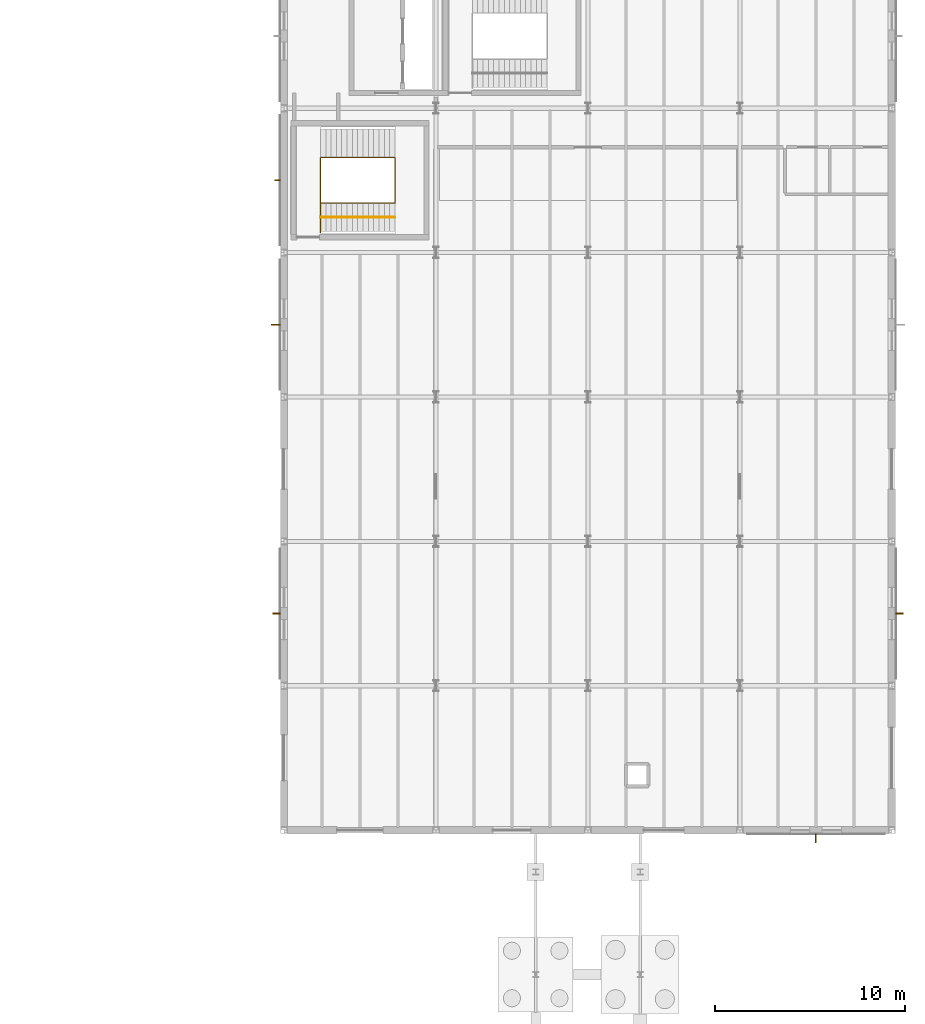
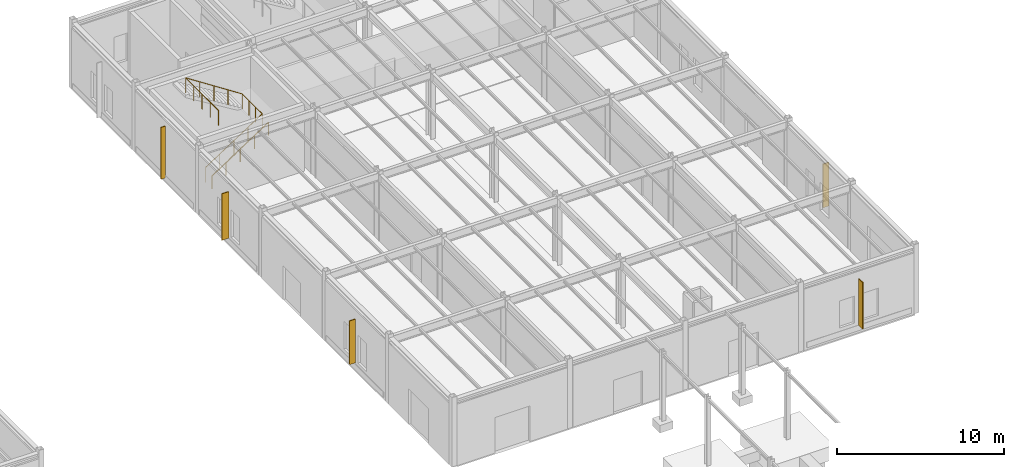
# One storey, part 107 of 109: 5 shading devices, 2 railings.
"""IFC4 building model written with IfcOpenShell, lengths in metres."""

from ifc_helpers import new_model, si_unit, direction, frame, origin, origin_2d, place, context, subcontext, project, spatial, rectangle, circle, extrude, material, type_object, element, save


model = new_model("IFC4")

# Units and contexts
model_context = context("Model", 3, precision=1e-05, world=origin(), true_north=direction((0.0, 1.0)))
body_context = subcontext(model_context, "Body", "Model", "MODEL_VIEW")
ifc_project = project(units=[si_unit("LENGTHUNIT", "METRE"), si_unit("AREAUNIT", "SQUARE_METRE"), si_unit("VOLUMEUNIT", "CUBIC_METRE"), si_unit("PLANEANGLEUNIT", "RADIAN"), si_unit("MASSUNIT", "GRAM", prefix="KILO")], contexts=[model_context])

# Site, building, storey
site_placement = place(None, origin())
site = spatial("IfcSite", under=ifc_project, at=site_placement, CompositionType="ELEMENT")
building_placement = place(site_placement, origin())
building = spatial("IfcBuilding", under=site, at=building_placement, Name="Montecoro Central Library", CompositionType="ELEMENT")
storey_placement = place(building_placement, origin())
storey = spatial("IfcBuildingStorey", under=building, at=storey_placement, Name="L00", CompositionType="ELEMENT", Elevation=0.0)

# Railings
ifc_material_1 = material(Name="Brushed stainless steel and bronze balustrade", Category="steel")
railing_type_1 = type_object("IfcRailingType", Name="GRD-INT-110", PredefinedType="GUARDRAIL", material=ifc_material_1)
railing_1_placement = place(storey_placement, frame((142.919921875, 106.39990234375, 0.0)))
element("IfcRailing", 1, at=railing_1_placement, inside=storey, type_object=railing_type_1, Name="C8-L00-STR-GRD", PredefinedType="GUARDRAIL", context=body_context, shape_type="SweptSolid", body=[
    extrude(circle(Radius=0.02392578125, at=origin_2d()), frame((0.0, 0.0, 1.09619140625), z_axis=(0.838253921411, 0.0, 0.545280077794), x_axis=(0.0, 1.0, 0.0)), (0.0, 0.0, 1.0), 4.676513671875),
    extrude(circle(Radius=0.02392578125, at=origin_2d()), frame((3.920166015625, 0.0, 3.64599609375), z_axis=(0.0, 1.0, 0.0), x_axis=(-1.0, 0.0, 0.0)), (0.0, 0.0, 1.0), 2.400146484375),
    extrude(circle(Radius=0.02392578125, at=origin_2d()), frame((3.920166015625, 2.400146484375, 3.64599609375), z_axis=(-0.838253921411, 0.0, 0.545280077794), x_axis=(0.0, -1.0, 0.0)), (0.0, 0.0, 1.0), 4.676513671875),
    extrude(circle(Radius=0.02392578125, at=origin_2d()), frame((0.0, 2.400146484375, 6.1962890625), z_axis=(0.0, -1.0, 0.0), x_axis=(1.0, 0.0, 0.0)), (0.0, 0.0, 1.0), 3.949951171875),
    extrude(circle(Radius=0.02099609375, at=origin_2d()), origin(), (0.0, 0.0, 1.0), 1.072021484375),
    extrude(circle(Radius=0.02099609375, at=origin_2d()), frame((0.97998046875, 0.0, 0.637451171875)), (0.0, 0.0, 1.0), 1.072021484375),
    extrude(circle(Radius=0.02099609375, at=origin_2d()), frame((1.9599609375, 0.0, 1.27490234375)), (0.0, 0.0, 1.0), 1.072021484375),
    extrude(circle(Radius=0.02099609375, at=origin_2d()), frame((2.940185546875, 0.0, 1.91259765625)), (0.0, 0.0, 1.0), 1.072021484375),
    extrude(circle(Radius=0.02099609375, at=origin_2d()), frame((3.920166015625, 0.0, 2.550048828125)), (0.0, 0.0, 1.0), 1.072021484375),
    extrude(circle(Radius=0.02099609375, at=origin_2d()), frame((3.920166015625, 0.800048828125, 2.550048828125)), (0.0, 0.0, 1.0), 1.072021484375),
    extrude(circle(Radius=0.02099609375, at=origin_2d()), frame((3.920166015625, 1.60009765625, 2.550048828125)), (0.0, 0.0, 1.0), 1.072021484375),
    extrude(circle(Radius=0.02099609375, at=origin_2d()), frame((3.920166015625, 2.400146484375, 2.550048828125)), (0.0, 0.0, 1.0), 1.072021484375),
    extrude(circle(Radius=0.02099609375, at=origin_2d()), frame((2.940185546875, 2.400146484375, 3.1875)), (0.0, 0.0, 1.0), 1.072021484375),
    extrude(circle(Radius=0.02099609375, at=origin_2d()), frame((1.9599609375, 2.400146484375, 3.8251953125)), (0.0, 0.0, 1.0), 1.072021484375),
    extrude(circle(Radius=0.02099609375, at=origin_2d()), frame((0.97998046875, 2.400146484375, 4.462646484375)), (0.0, 0.0, 1.0), 1.072021484375),
    extrude(circle(Radius=0.02099609375, at=origin_2d()), frame((0.0, 2.400146484375, 5.10009765625)), (0.0, 0.0, 1.0), 1.072021484375),
    extrude(circle(Radius=0.02099609375, at=origin_2d()), frame((0.0, 1.41259765625, 5.10009765625)), (0.0, 0.0, 1.0), 1.072021484375),
    extrude(circle(Radius=0.02099609375, at=origin_2d()), frame((0.0, 0.42529296875, 5.10009765625)), (0.0, 0.0, 1.0), 1.072021484375),
    extrude(circle(Radius=0.02099609375, at=origin_2d()), frame((0.0, -0.562255859375, 5.10009765625)), (0.0, 0.0, 1.0), 1.072021484375),
    extrude(circle(Radius=0.02099609375, at=origin_2d()), frame((0.0, -1.5498046875, 5.10009765625)), (0.0, 0.0, 1.0), 1.072021484375),
])
ifc_material_2 = material(Name="Brushed architectural bronze handrail")
railing_type_2 = type_object("IfcRailingType", Name="HRL-STR-095", PredefinedType="HANDRAIL", material=ifc_material_2)
railing_2_placement = place(storey_placement, frame((142.919921875, 105.64990234375, 0.0)))
element("IfcRailing", 2, at=railing_2_placement, inside=storey, type_object=railing_type_2, Name="C8-L00-STR-HR1", PredefinedType="HANDRAIL", context=body_context, shape_type="SweptSolid", body=[
    extrude(circle(Radius=0.02392578125, at=origin_2d()), frame((0.0, 0.0, 0.92578125), z_axis=(0.838253921411, 0.0, 0.545280077794), x_axis=(0.0, 1.0, 0.0)), (0.0, 0.0, 1.0), 4.676513671875),
    extrude(circle(Radius=0.02099609375, at=origin_2d()), origin(), (0.0, 0.0, 1.0), 0.90185546875),
    extrude(circle(Radius=0.02099609375, at=origin_2d()), frame((0.97998046875, 0.0, 0.637451171875)), (0.0, 0.0, 1.0), 0.90185546875),
    extrude(circle(Radius=0.02099609375, at=origin_2d()), frame((1.9599609375, 0.0, 1.27490234375)), (0.0, 0.0, 1.0), 0.90185546875),
    extrude(circle(Radius=0.02099609375, at=origin_2d()), frame((2.940185546875, 0.0, 1.91259765625)), (0.0, 0.0, 1.0), 0.90185546875),
    extrude(circle(Radius=0.02099609375, at=origin_2d()), frame((3.920166015625, 0.0, 2.550048828125)), (0.0, 0.0, 1.0), 0.90185546875),
])

# Shading devices
ifc_material_3 = material(Name="Architectural bronze solar fin", Category="aluminium")
shading_device_type_1 = type_object("IfcShadingDeviceType", Name="SHD-FIN-04", PredefinedType="USERDEFINED", material=ifc_material_3)
for number, where, z_axis, x_axis, name in (
    (3, (173.390380859375, 84.800048828125, 0.64990234375), (0.0, 0.0, 1.0), (0.0, 1.0, 0.0), "V5-L00-FIN-E1"),
    (4, (140.609619140625, 84.800048828125, 0.64990234375), (0.0, 0.0, 1.0), (0.0, -1.0, 0.0), "V5-L00-FIN-W1"),
):
    element("IfcShadingDevice", number, at=place(storey_placement, frame(where, z_axis=z_axis, x_axis=x_axis)), inside=storey, type_object=shading_device_type_1, Name=name, ObjectType="SOLAR FIN", PredefinedType="USERDEFINED", context=body_context, shape_type="SweptSolid", body=[
        extrude(rectangle(XDim=0.06005859375, YDim=0.39990234375, at=origin_2d()), origin(), (0.0, 0.0, 1.0), 3.199951171875),
    ])
shading_device_type_2 = type_object("IfcShadingDeviceType", Name="SHD-FIN-06", PredefinedType="USERDEFINED", material=ifc_material_3)
for number, where, z_axis, x_axis, name in (
    (5, (169.0, 72.969482421875, 0.550048828125), (0.0, 0.0, 1.0), (1.0, 0.0, 0.0), "V5-L00-FIN-S3"),
    (6, (140.569580078125, 100.0, 0.550048828125), (0.0, 0.0, 1.0), (0.0, -1.0, 0.0), "V5-L00-FIN-W3"),
):
    element("IfcShadingDevice", number, at=place(storey_placement, frame(where, z_axis=z_axis, x_axis=x_axis)), inside=storey, type_object=shading_device_type_2, Name=name, ObjectType="SOLAR FIN", PredefinedType="USERDEFINED", context=body_context, shape_type="SweptSolid", body=[
        extrude(rectangle(XDim=0.06005859375, YDim=0.47998046875, at=origin_2d()), origin(), (0.0, 0.0, 1.0), 3.39990234375),
    ])
shading_device_type_3 = type_object("IfcShadingDeviceType", Name="SHD-FIN-07", PredefinedType="USERDEFINED", material=ifc_material_3)
shading_device_placement = place(storey_placement, frame((140.659423828125, 107.60009765625, 0.35009765625), z_axis=(0.0, 0.0, 1.0), x_axis=(0.0, -1.0, 0.0)))
element("IfcShadingDevice", 7, at=shading_device_placement, inside=storey, type_object=shading_device_type_3, Name="V5-L00-FIN-W4", ObjectType="SOLAR FIN", PredefinedType="USERDEFINED", context=body_context, shape_type="SweptSolid", body=[
    extrude(rectangle(XDim=0.06005859375, YDim=0.300048828125, at=origin_2d()), origin(), (0.0, 0.0, 1.0), 3.800048828125),
])

save(model, "model.ifc")
